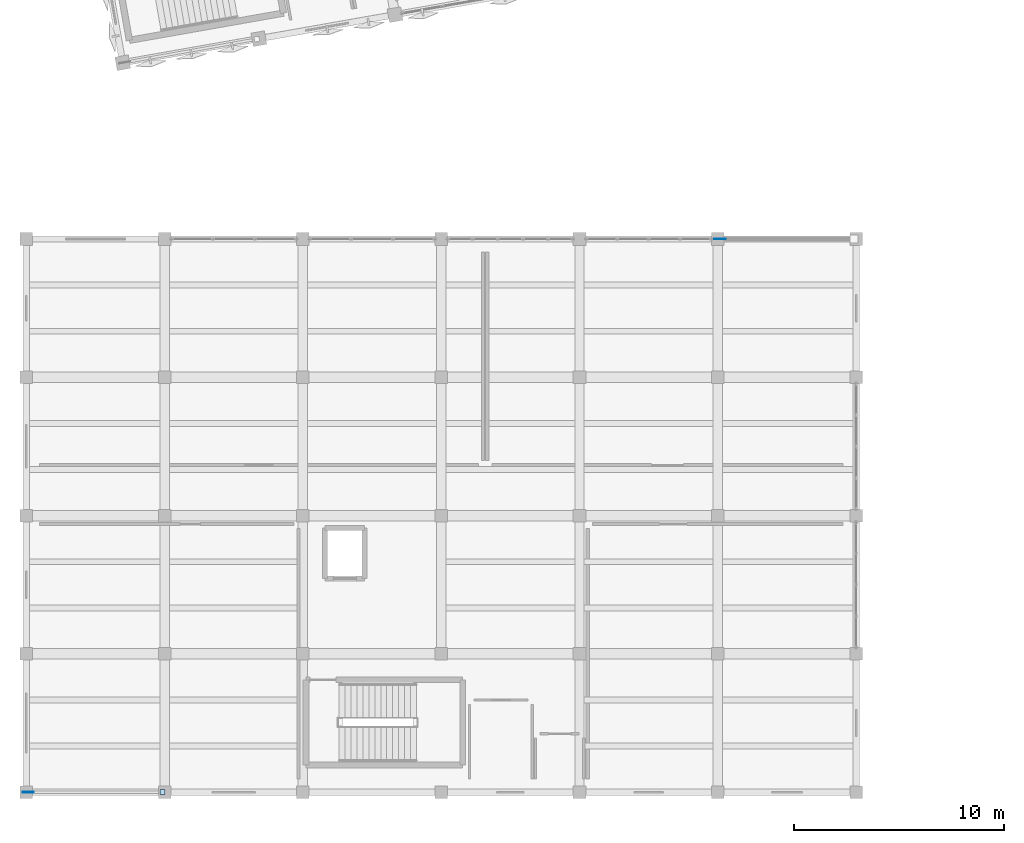
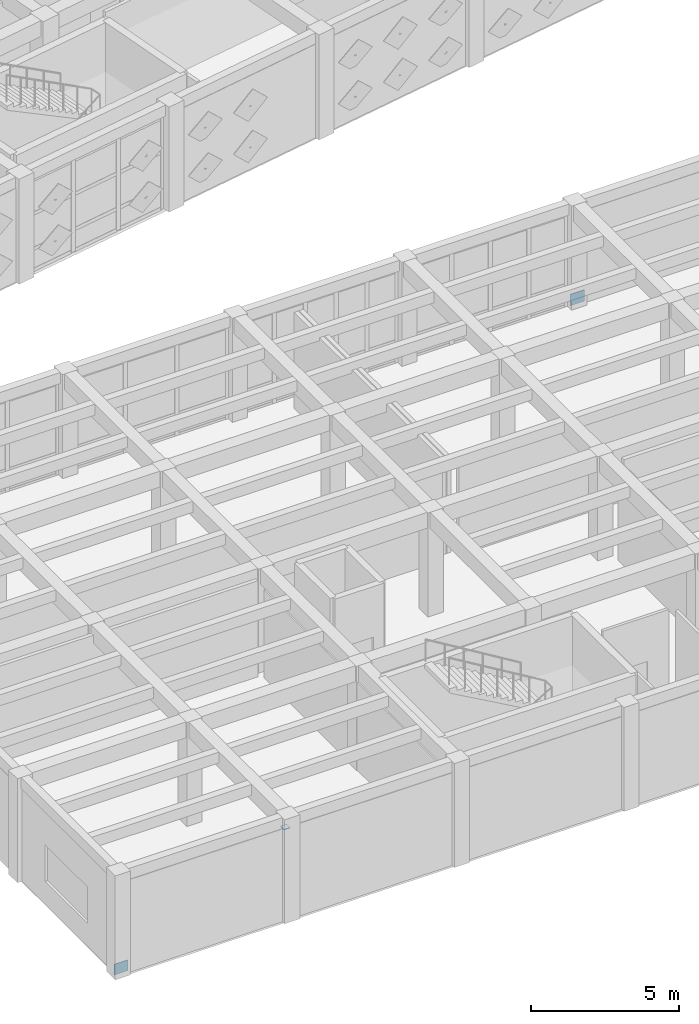
# One storey, part 48 of 67: 3 plates.
"""IFC4 building model written with IfcOpenShell, lengths in metres."""

from ifc_helpers import new_model, si_unit, direction, frame, origin, origin_2d, place, context, subcontext, project, spatial, rectangle, extrude, material, layer, layer_set, type_object, element, save


model = new_model("IFC4")

# Units and contexts
model_context = context("Model", 3, precision=1e-05, world=origin(), true_north=direction((0.0, 1.0)))
body_context = subcontext(model_context, "Body", "Model", "MODEL_VIEW")
ifc_project = project(units=[si_unit("LENGTHUNIT", "METRE"), si_unit("AREAUNIT", "SQUARE_METRE"), si_unit("VOLUMEUNIT", "CUBIC_METRE"), si_unit("PLANEANGLEUNIT", "RADIAN"), si_unit("MASSUNIT", "GRAM", prefix="KILO")], contexts=[model_context])

# Site, building, storey
site_placement = place(None, origin())
site = spatial("IfcSite", under=ifc_project, at=site_placement, CompositionType="ELEMENT")
building_placement = place(site_placement, origin())
building = spatial("IfcBuilding", under=site, at=building_placement, Name="Kharisveld Research Institute", CompositionType="ELEMENT")
storey_placement = place(building_placement, frame((0.0, 0.0, 9.60009765625)))
storey = spatial("IfcBuildingStorey", under=building, at=storey_placement, Name="L02", CompositionType="ELEMENT", Elevation=9.60009765625)

# Plates
ifc_material_1 = material(Name="Steel S355JR", Category="steel")
ifc_layer_1 = layer(ifc_material_1, 0.02587890625)
ifc_layer_set_1 = layer_set([ifc_layer_1], Name="PL_CAP_D")
plate_type_1 = type_object("IfcPlateType", Name="PL_CAP_D", PredefinedType="SHEET", material=ifc_layer_set_1)
plate_1_placement = place(storey_placement, frame((7.10009765625, 0.199951171875, 3.717041015625), z_axis=(0.0, 0.0, 1.0), x_axis=(1.0, 0.0, 0.0)))
element("IfcPlate", 1, at=plate_1_placement, inside=storey, type_object=plate_type_1, Name="PLT:V3:L02:CAP_0_0", PredefinedType="SHEET", context=body_context, shape_type="SweptSolid", body=[
    extrude(rectangle(XDim=0.239990234375, YDim=0.239990234375, at=origin_2d()), origin(), (0.0, 0.0, 1.0), 0.02587890625),
])
ifc_material_2 = material(Name="Steel S355JR", Category="steel")
ifc_layer_2 = layer(ifc_material_2, 0.028076171875)
ifc_layer_set_2 = layer_set([ifc_layer_2], Name="PL_GUS_D")
plate_type_2 = type_object("IfcPlateType", Name="PL_GUS_D", PredefinedType="USERDEFINED", material=ifc_layer_set_2)
plate_2_placement = place(storey_placement, frame((0.699951171875, 0.199951171875, -0.02001953125), z_axis=(0.0, 0.0, 1.0), x_axis=(1.0, 0.0, 0.0)))
element("IfcPlate", 2, at=plate_2_placement, inside=storey, type_object=plate_type_2, Name="PLT:V3:L02:GUS_0_0", ObjectType="GUSSET PLATE", PredefinedType="USERDEFINED", context=body_context, shape_type="SweptSolid", body=[
    extrude(rectangle(XDim=0.52001953125, YDim=0.028076171875, at=origin_2d()), origin(), (0.0, 0.0, 1.0), 0.43994140625),
])
ifc_material_3 = material(Name="Steel S355JR", Category="steel")
ifc_layer_3 = layer(ifc_material_3, 0.031982421875)
ifc_layer_set_3 = layer_set([ifc_layer_3], Name="PL_GUS_E")
plate_type_3 = type_object("IfcPlateType", Name="PL_GUS_E", PredefinedType="USERDEFINED", material=ifc_layer_set_3)
plate_3_placement = place(storey_placement, frame((33.699951171875, 26.60009765625, -0.030029296875), z_axis=(0.0, 0.0, 1.0), x_axis=(1.0, 0.0, 0.0)))
element("IfcPlate", 3, at=plate_3_placement, inside=storey, type_object=plate_type_3, Name="PLT:V3:L02:GUS_5_4", ObjectType="GUSSET PLATE", PredefinedType="USERDEFINED", context=body_context, shape_type="SweptSolid", body=[
    extrude(rectangle(XDim=0.56005859375, YDim=0.031982421875, at=origin_2d()), origin(), (0.0, 0.0, 1.0), 0.4599609375),
])

save(model, "model.ifc")
